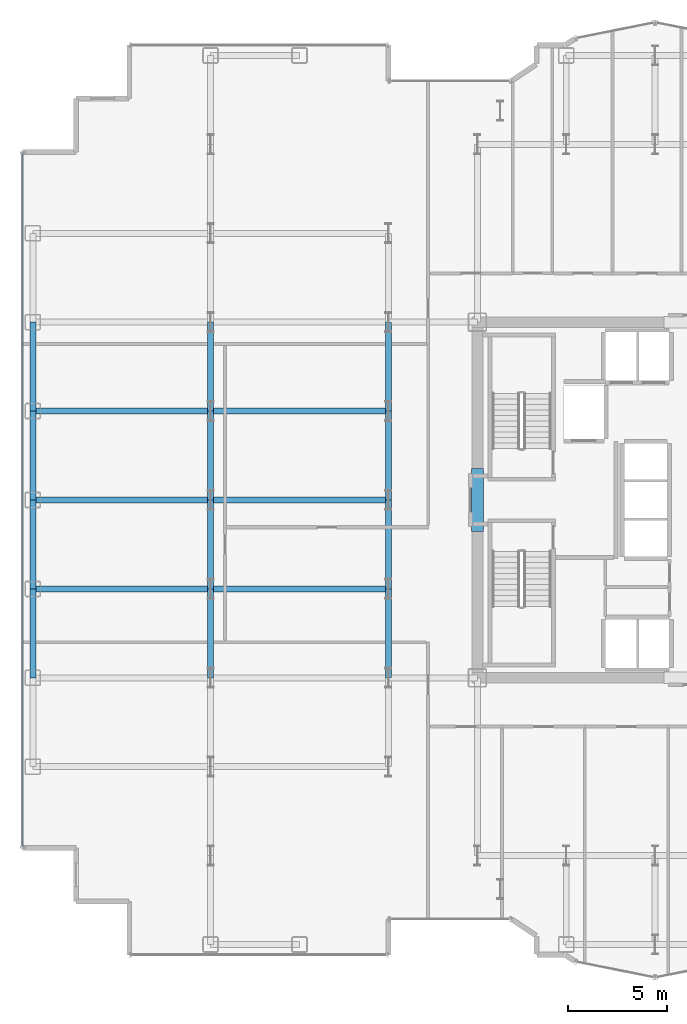
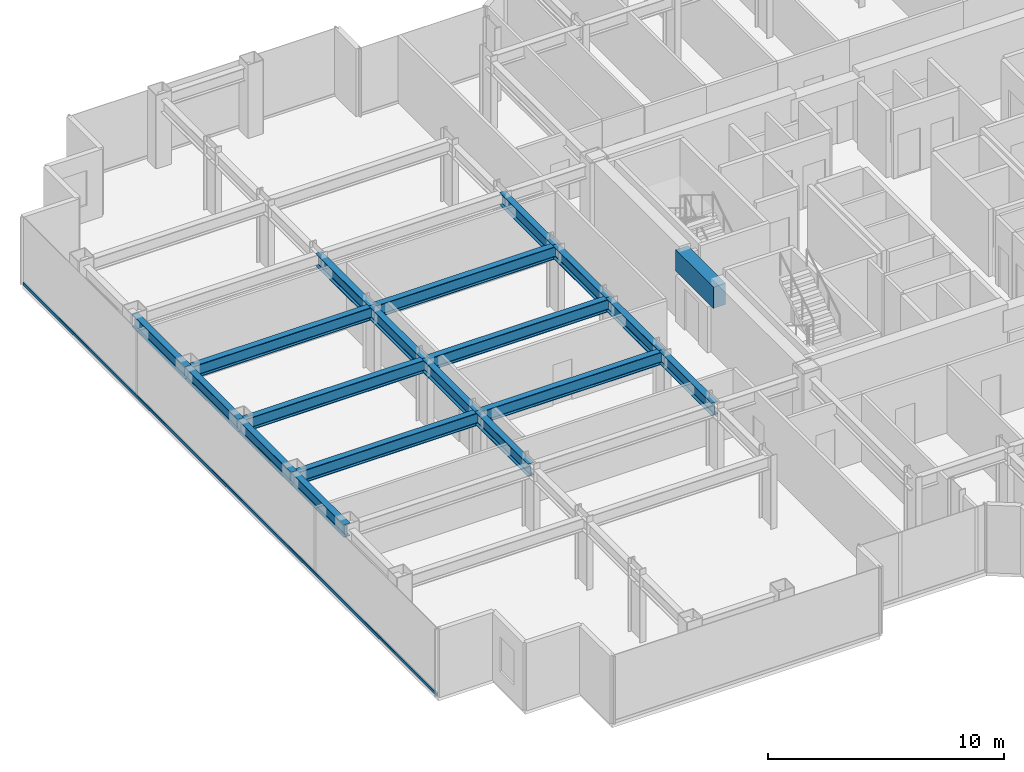
# One storey, part 5 of 26: 19 beams, 1 member, 1 element without a shape of its own.
"""IFC4 building model written with IfcOpenShell, lengths in metres."""

from ifc_helpers import new_model, si_unit, direction, frame, origin, origin_2d, place, context, subcontext, project, spatial, rectangle, hollow_rectangle, i_section, extrude, source, transform, mapped, material, layer, layer_set, material_profile, profile_set, type_object, element, aggregate, save


model = new_model("IFC4")

# Units and contexts
model_context = context("Model", 3, precision=1e-05, world=origin(), true_north=direction((0.0, 1.0)))
body_context = subcontext(model_context, "Body", "Model", "MODEL_VIEW")
ifc_project = project(units=[si_unit("LENGTHUNIT", "METRE"), si_unit("AREAUNIT", "SQUARE_METRE"), si_unit("VOLUMEUNIT", "CUBIC_METRE"), si_unit("PLANEANGLEUNIT", "RADIAN"), si_unit("MASSUNIT", "GRAM", prefix="KILO")], contexts=[model_context])

# Site, building, storey
site_placement = place(None, origin())
site = spatial("IfcSite", under=ifc_project, at=site_placement, CompositionType="ELEMENT")
building_placement = place(site_placement, origin())
building = spatial("IfcBuilding", under=site, at=building_placement, Name="Nefas-Gora Pilgrimage Tower", CompositionType="ELEMENT")
storey_placement = place(building_placement, frame((0.0, 0.0, 140.199951171875)))
storey = spatial("IfcBuildingStorey", under=building, at=storey_placement, Name="L34", CompositionType="ELEMENT", Elevation=140.199951171875)

# Beams
ifc_material_1 = material(Name="Concrete C60/75", Category="concrete")
ifc_material_profile_1 = material_profile(ifc_material_1, rectangle(XDim=0.60009765625, YDim=1.10009765625, at=origin_2d()), Name="RC 600x1100")
ifc_profile_set_1 = profile_set([ifc_material_profile_1], Name="Concrete C60/75")
beam_type_1 = type_object("IfcBeamType", Name="BM-LIN-RC1100", PredefinedType="LINTEL", material=ifc_profile_set_1)
shared_shape_1 = source(origin(), body_context, "Body", "SweptSolid", [
    extrude(rectangle(XDim=0.60009765625, YDim=1.10009765625, at=origin_2d()), origin(), (0.0, 0.0, 1.0), 3.2001953125),
])
beam_placement = place(storey_placement, frame((-11.25, -1.60009765625, 2.949951171875), z_axis=(0.0, 1.0, 0.0), x_axis=(-1.0, 0.0, 0.0)))
element("IfcBeam", 1, at=beam_placement, inside=storey, type_object=beam_type_1, Name="L34 Core Coupling Lintel Beam W", PredefinedType="LINTEL", context=body_context, shape_type="MappedRepresentation", body=[
    mapped(shared_shape_1, transform((0.0, 0.0, 0.0), x_axis=(1.0, 0.0, 0.0), y_axis=(0.0, 1.0, 0.0), z_axis=(0.0, 0.0, 1.0), scale=1.0)),
])
ifc_material_2 = material(Name="Steel S355", Category="steel")
ifc_material_profile_2 = material_profile(ifc_material_2, i_section(OverallWidth=0.300048828125, OverallDepth=0.64990234375, WebThickness=0.01611328125, FlangeThickness=0.031005859375, FilletRadius=0.027099609375, at=origin_2d()), Name="HEB 650")
ifc_profile_set_2 = profile_set([ifc_material_profile_2], Name="Steel S355")
beam_type_2 = type_object("IfcBeamType", Name="BM-SPN-HEB500", PredefinedType="SPANDREL", material=ifc_profile_set_2)
shared_shape_2 = source(origin(), body_context, "Body", "SweptSolid", [
    extrude(i_section(OverallWidth=0.300048828125, OverallDepth=0.64990234375, WebThickness=0.01611328125, FlangeThickness=0.031005859375, FilletRadius=0.027099609375, at=origin_2d()), origin(), (0.0, 0.0, 1.0), 4.5),
])
for number, where, z_axis, x_axis, name in (
    (2, (-33.75, -9.0, 3.175048828125), (0.0, 1.0, 0.0), (-1.0, 0.0, 0.0), "L34 SP-02 beam"),
    (3, (-33.75, -4.5, 3.175048828125), (0.0, 1.0, 0.0), (-1.0, 0.0, 0.0), "L34 SP-02 beam"),
    (4, (-33.75, 0.0, 3.175048828125), (0.0, 1.0, 0.0), (-1.0, 0.0, 0.0), "L34 SP-02 beam"),
    (5, (-33.75, 4.5, 3.175048828125), (0.0, 1.0, 0.0), (-1.0, 0.0, 0.0), "L34 SP-02 beam"),
):
    element("IfcBeam", number, at=place(storey_placement, frame(where, z_axis=z_axis, x_axis=x_axis)), inside=storey, type_object=beam_type_2, Name=name, PredefinedType="SPANDREL", context=body_context, shape_type="MappedRepresentation", body=[
        mapped(shared_shape_2, transform((0.0, 0.0, 0.0), x_axis=(1.0, 0.0, 0.0), y_axis=(0.0, 1.0, 0.0), z_axis=(0.0, 0.0, 1.0), scale=1.0)),
    ])
ifc_material_profile_3 = material_profile(ifc_material_2, i_section(OverallWidth=0.300048828125, OverallDepth=0.64990234375, WebThickness=0.01611328125, FlangeThickness=0.031005859375, FilletRadius=0.027099609375, at=origin_2d()), Name="HEB 650")
ifc_profile_set_3 = profile_set([ifc_material_profile_3], Name="Steel S355")
beam_type_3 = type_object("IfcBeamType", Name="BM-GIR-HEB650", PredefinedType="BEAM", material=ifc_profile_set_3)
shared_shape_3 = source(origin(), body_context, "Body", "SweptSolid", [
    extrude(i_section(OverallWidth=0.300048828125, OverallDepth=0.64990234375, WebThickness=0.01611328125, FlangeThickness=0.031005859375, FilletRadius=0.027099609375, at=origin_2d()), origin(), (0.0, 0.0, 1.0), 9.0),
])
for number, where, z_axis, x_axis, name in (
    (6, (-33.75, -4.5, 3.175048828125), (1.0, 0.0, 0.0), (0.0, 1.0, 0.0), "L34 G-03 beam"),
    (7, (-33.75, 0.0, 3.175048828125), (1.0, 0.0, 0.0), (0.0, 1.0, 0.0), "L34 G-03 beam"),
    (8, (-33.75, 4.5, 3.175048828125), (1.0, 0.0, 0.0), (0.0, 1.0, 0.0), "L34 G-03 beam"),
    (9, (-24.75, -4.5, 3.175048828125), (1.0, 0.0, 0.0), (0.0, 1.0, 0.0), "L34 G-03 beam"),
    (10, (-24.75, 0.0, 3.175048828125), (1.0, 0.0, 0.0), (0.0, 1.0, 0.0), "L34 G-03 beam"),
    (11, (-24.75, 4.5, 3.175048828125), (1.0, 0.0, 0.0), (0.0, 1.0, 0.0), "L34 G-03 beam"),
):
    element("IfcBeam", number, at=place(storey_placement, frame(where, z_axis=z_axis, x_axis=x_axis)), inside=storey, type_object=beam_type_3, Name=name, PredefinedType="BEAM", context=body_context, shape_type="MappedRepresentation", body=[
        mapped(shared_shape_3, transform((0.0, 0.0, 0.0), x_axis=(1.0, 0.0, 0.0), y_axis=(0.0, 1.0, 0.0), z_axis=(0.0, 0.0, 1.0), scale=1.0)),
    ])
shared_shape_4 = source(origin(), body_context, "Body", "SweptSolid", [
    extrude(i_section(OverallWidth=0.300048828125, OverallDepth=0.64990234375, WebThickness=0.01611328125, FlangeThickness=0.031005859375, FilletRadius=0.027099609375, at=origin_2d()), origin(), (0.0, 0.0, 1.0), 4.5),
])
for number, where, z_axis, x_axis, name in (
    (12, (-24.75, -9.0, 3.175048828125), (0.0, 1.0, 0.0), (-1.0, 0.0, 0.0), "L34 G-03 beam"),
    (13, (-24.75, -4.5, 3.175048828125), (0.0, 1.0, 0.0), (-1.0, 0.0, 0.0), "L34 G-03 beam"),
    (14, (-24.75, 0.0, 3.175048828125), (0.0, 1.0, 0.0), (-1.0, 0.0, 0.0), "L34 G-03 beam"),
    (15, (-24.75, 4.5, 3.175048828125), (0.0, 1.0, 0.0), (-1.0, 0.0, 0.0), "L34 G-03 beam"),
    (16, (-15.75, -9.0, 3.175048828125), (0.0, 1.0, 0.0), (-1.0, 0.0, 0.0), "L34 G-03 beam"),
    (17, (-15.75, -4.5, 3.175048828125), (0.0, 1.0, 0.0), (-1.0, 0.0, 0.0), "L34 G-03 beam"),
    (18, (-15.75, 0.0, 3.175048828125), (0.0, 1.0, 0.0), (-1.0, 0.0, 0.0), "L34 G-03 beam"),
    (19, (-15.75, 4.5, 3.175048828125), (0.0, 1.0, 0.0), (-1.0, 0.0, 0.0), "L34 G-03 beam"),
):
    element("IfcBeam", number, at=place(storey_placement, frame(where, z_axis=z_axis, x_axis=x_axis)), inside=storey, type_object=beam_type_3, Name=name, PredefinedType="BEAM", context=body_context, shape_type="MappedRepresentation", body=[
        mapped(shared_shape_4, transform((0.0, 0.0, 0.0), x_axis=(1.0, 0.0, 0.0), y_axis=(0.0, 1.0, 0.0), z_axis=(0.0, 0.0, 1.0), scale=1.0)),
    ])

# Curtain wall, member
ifc_material_3 = material(Name="Dark ceramic-fritted solar-control aluminium-glass curtain wall", Category="aluminium")
ifc_layer = layer(ifc_material_3, 0.219970703125)
ifc_layer_set = layer_set([ifc_layer], Name="Dark ceramic-fritted solar-control aluminium-glass curtain wall")
curtain_wall_type = type_object("IfcCurtainWallType", Name="CW-SYS-2", PredefinedType="NOTDEFINED", material=ifc_layer_set)
curtain_wall_placement = place(storey_placement, origin())
curtain_wall = element("IfcCurtainWall", 20, at=curtain_wall_placement, inside=storey, type_object=curtain_wall_type, Name="L34 Unitised Curtain Wall CW2", PredefinedType="NOTDEFINED")
ifc_material_4 = material(Name="Anodised architectural aluminium", Category="aluminium")
ifc_material_profile_4 = material_profile(ifc_material_4, hollow_rectangle(XDim=0.080078125, YDim=0.159912109375, WallThickness=0.00439453125, InnerFilletRadius=0.00439453125, OuterFilletRadius=0.009033203125, at=origin_2d()), Name="ALU TRANSOM 80x160")
ifc_profile_set_4 = profile_set([ifc_material_profile_4], Name="Anodised architectural aluminium")
member_type = type_object("IfcMemberType", Name="CWM-TRN-2", PredefinedType="USERDEFINED", material=ifc_profile_set_4)
shared_shape_5 = source(origin(), body_context, "Body", "SweptSolid", [
    extrude(hollow_rectangle(XDim=0.080078125, YDim=0.159912109375, WallThickness=0.00439453125, InnerFilletRadius=0.00439453125, OuterFilletRadius=0.009033203125, at=origin_2d()), origin(), (0.0, 0.0, 1.0), 35.06005859375),
])
member_placement = place(storey_placement, frame((-34.27001953125, 17.530029296875, 0.050048828125), z_axis=(0.0, -1.0, 0.0), x_axis=(1.0, 0.0, 0.0)))
member = element("IfcMember", 21, at=member_placement, type_object=member_type, Name="CW2 Spandrel Transom", ObjectType="TRANSOM", PredefinedType="USERDEFINED", context=body_context, shape_type="MappedRepresentation", body=[
    mapped(shared_shape_5, transform((0.0, 0.0, 0.0), x_axis=(1.0, 0.0, 0.0), y_axis=(0.0, 1.0, 0.0), z_axis=(0.0, 0.0, 1.0), scale=1.0)),
])
aggregate(curtain_wall, [member])

save(model, "model.ifc")
